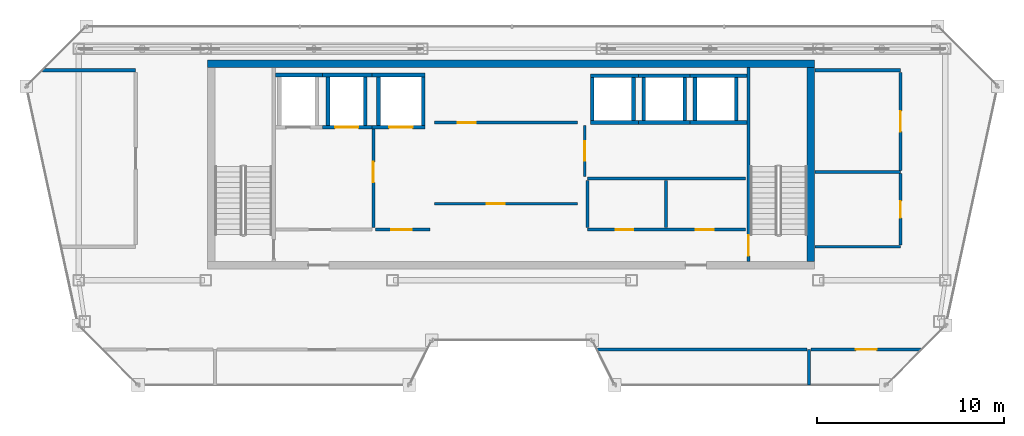
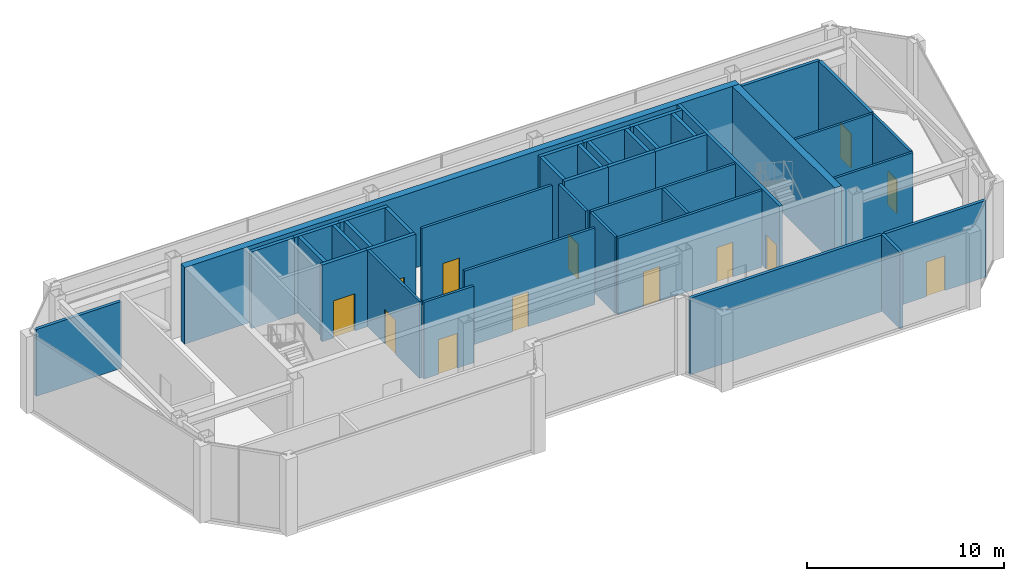
# One storey, part 16 of 20: 42 walls, 13 doors, 13 openings.
"""IFC4 building model written with IfcOpenShell, lengths in metres."""

from ifc_helpers import new_model, si_unit, direction, frame, frame_2d, origin, place, context, subcontext, project, spatial, rectangle, extrude, material, layer, layer_set, type_object, element, fill, save


model = new_model("IFC4")

# Units and contexts
model_context = context("Model", 3, precision=1e-05, world=origin(), true_north=direction((0.0, 1.0)))
body_context = subcontext(model_context, "Body", "Model", "MODEL_VIEW")
ifc_project = project(units=[si_unit("LENGTHUNIT", "METRE"), si_unit("AREAUNIT", "SQUARE_METRE"), si_unit("VOLUMEUNIT", "CUBIC_METRE"), si_unit("PLANEANGLEUNIT", "RADIAN"), si_unit("MASSUNIT", "GRAM", prefix="KILO")], contexts=[model_context])

# Site, building, storey
site_placement = place(None, origin())
site = spatial("IfcSite", under=ifc_project, at=site_placement, CompositionType="ELEMENT")
building_placement = place(site_placement, origin())
building = spatial("IfcBuilding", under=site, at=building_placement, Name="Saevonmaru Cultural Tower", CompositionType="ELEMENT")
storey_placement = place(building_placement, frame((0.0, 0.0, 314.199951171875)))
storey = spatial("IfcBuildingStorey", under=building, at=storey_placement, Name="L75", CompositionType="ELEMENT", Elevation=314.199951171875)

# Walls
ifc_material_1 = material(Name="Concrete C50/60", Category="concrete")
ifc_layer_1 = layer(ifc_material_1, 0.39990234375, Name="Concrete C50/60")
ifc_layer_set_1 = layer_set([ifc_layer_1], Name="Concrete C50/60")
wall_type_1 = type_object("IfcWallType", Name="WL-CORE-400", PredefinedType="SHEAR", material=ifc_layer_set_1)
wall_1_placement = place(storey_placement, frame((13.699951171875, 54.0, 0.0), z_axis=(0.0, 0.0, 1.0), x_axis=(1.0, 0.0, 0.0)))
element("IfcWall", 1, at=wall_1_placement, inside=storey, type_object=wall_type_1, Name="L75 Tower RC core shear wall N", PredefinedType="SHEAR", context=body_context, shape_type="SweptSolid", body=[
    extrude(rectangle(XDim=32.5, YDim=0.39990234375, at=frame_2d((16.25, 0.0))), origin(), (0.0, 0.0, 1.0), 4.75),
])
wall_2_placement = place(storey_placement, frame((46.0, 43.39990234375, 0.0), z_axis=(0.0, 0.0, 1.0), x_axis=(0.0, 1.0, 0.0)))
element("IfcWall", 2, at=wall_2_placement, inside=storey, type_object=wall_type_1, Name="L75 Tower RC core shear wall E", PredefinedType="SHEAR", context=body_context, shape_type="SweptSolid", body=[
    extrude(rectangle(XDim=10.400146484375, YDim=0.39990234375, at=frame_2d((5.2001953125, 0.0))), origin(), (0.0, 0.0, 1.0), 4.75),
])

# Wall, opening, door
ifc_material_2 = material(Name="Gypsum Fireboard Partition", Category="gypsum")
ifc_layer_2 = layer(ifc_material_2, 0.14990234375, Name="Gypsum Fireboard Partition")
ifc_layer_set_2 = layer_set([ifc_layer_2], Name="Gypsum Fireboard Partition")
wall_type_2 = type_object("IfcWallType", Name="WL-CORE-PART-150", PredefinedType="PARTITIONING", material=ifc_layer_set_2)
wall_3_placement = place(storey_placement, frame((22.580078125, 50.550048828125, 0.0), z_axis=(0.0, 0.0, 1.0), x_axis=(0.0, -1.0, 0.0)))
wall_3 = element("IfcWall", 3, at=wall_3_placement, inside=storey, type_object=wall_type_2, Name="L75 Firefighting Lift Lobby East Wall", PredefinedType="PARTITIONING", context=body_context, shape_type="SweptSolid", body=[
    extrude(rectangle(XDim=5.330078125, YDim=0.14990234375, at=frame_2d((2.6650390625, 0.0))), origin(), (0.0, 0.0, 1.0), 4.75),
])
opening_1_placement = place(wall_3_placement, frame((1.800048828125, 0.0, 0.0)))
opening_1 = element("IfcOpeningElement", 4, at=opening_1_placement, cuts=wall_3, Name="Opening FD-2", PredefinedType="OPENING", context=body_context, shape_type="SweptSolid", body=[
    extrude(rectangle(XDim=1.10009765625, YDim=2.14990234375, at=frame_2d((0.550048828125, 1.074951171875))), frame((0.0, 0.0849609375, 0.0), z_axis=(0.0, -1.0, 0.0), x_axis=(1.0, 0.0, 0.0)), (0.0, 0.0, 1.0), 0.169921875),
])
ifc_material_3 = material(Name="Satin Bronze Anodised Aluminium", Category="aluminium")
door_type_1 = type_object("IfcDoorType", Name="DR-FD60-1100", OperationType="SINGLE_SWING_LEFT", PredefinedType="DOOR", material=ifc_material_3)
door_1_placement = place(opening_1_placement, origin())
door_1 = element("IfcDoor", 5, at=door_1_placement, inside=storey, type_object=door_type_1, Name="L75 Firefighting Lift Lobby East Door", OperationType="SINGLE_SWING_LEFT", OverallHeight=2.14990234375, OverallWidth=1.10009765625, PredefinedType="DOOR", context=body_context, shape_type="SweptSolid", body=[
    extrude(rectangle(XDim=1.10009765625, YDim=2.14990234375, at=frame_2d((0.550048828125, 1.074951171875))), frame((0.0, 0.02490234375, 0.0), z_axis=(0.0, -1.0, 0.0), x_axis=(1.0, 0.0, 0.0)), (0.0, 0.0, 1.0), 0.050048828125),
])
fill(opening_1, door_1)

wall_4_placement = place(storey_placement, frame((22.679931640625, 45.1201171875, 0.0), z_axis=(0.0, 0.0, 1.0), x_axis=(1.0, 0.0, 0.0)))
wall_4 = element("IfcWall", 6, at=wall_4_placement, inside=storey, type_object=wall_type_2, Name="L75 Service Lift Vestibule Wall", PredefinedType="PARTITIONING", context=body_context, shape_type="SweptSolid", body=[
    extrude(rectangle(XDim=2.920166015625, YDim=0.14990234375, at=frame_2d((1.4599609375, 0.0))), origin(), (0.0, 0.0, 1.0), 4.75),
])
opening_2_placement = place(wall_4_placement, frame((0.85009765625, 0.0, 0.0)))
opening_2 = element("IfcOpeningElement", 7, at=opening_2_placement, cuts=wall_4, Name="Opening FD-2", PredefinedType="OPENING", context=body_context, shape_type="SweptSolid", body=[
    extrude(rectangle(XDim=1.10009765625, YDim=2.14990234375, at=frame_2d((0.550048828125, 1.074951171875))), frame((0.0, 0.0849609375, 0.0), z_axis=(0.0, -1.0, 0.0), x_axis=(1.0, 0.0, 0.0)), (0.0, 0.0, 1.0), 0.169921875),
])
door_2_placement = place(opening_2_placement, origin())
door_2 = element("IfcDoor", 8, at=door_2_placement, inside=storey, type_object=door_type_1, Name="L75 Service Lift Vestibule Door", OperationType="SINGLE_SWING_LEFT", OverallHeight=2.14990234375, OverallWidth=1.10009765625, PredefinedType="DOOR", context=body_context, shape_type="SweptSolid", body=[
    extrude(rectangle(XDim=1.10009765625, YDim=2.14990234375, at=frame_2d((0.550048828125, 1.074951171875))), frame((0.0, 0.02490234375, 0.0), z_axis=(0.0, -1.0, 0.0), x_axis=(1.0, 0.0, 0.0)), (0.0, 0.0, 1.0), 0.050048828125),
])
fill(opening_2, door_2)

wall_5_placement = place(storey_placement, frame((33.89990234375, 47.949951171875, 0.0), z_axis=(0.0, 0.0, 1.0), x_axis=(0.0, 1.0, 0.0)))
wall_5 = element("IfcWall", 9, at=wall_5_placement, inside=storey, type_object=wall_type_2, Name="L75 Zone Lobby Divider", PredefinedType="PARTITIONING", context=body_context, shape_type="SweptSolid", body=[
    extrude(rectangle(XDim=2.75, YDim=0.14990234375, at=frame_2d((1.375, 0.0))), origin(), (0.0, 0.0, 1.0), 4.75),
])
opening_3_placement = place(wall_5_placement, frame((0.85009765625, 0.0, 0.0)))
opening_3 = element("IfcOpeningElement", 10, at=opening_3_placement, cuts=wall_5, Name="Opening ID-1", PredefinedType="OPENING", context=body_context, shape_type="SweptSolid", body=[
    extrude(rectangle(XDim=1.050048828125, YDim=2.14990234375, at=frame_2d((0.52490234375, 1.074951171875))), frame((0.0, 0.0849609375, 0.0), z_axis=(0.0, -1.0, 0.0), x_axis=(1.0, 0.0, 0.0)), (0.0, 0.0, 1.0), 0.169921875),
])
door_type_2 = type_object("IfcDoorType", Name="DR-INT-1050", OperationType="SINGLE_SWING_LEFT", PredefinedType="DOOR", material=ifc_material_3)
door_3_placement = place(opening_3_placement, origin())
door_3 = element("IfcDoor", 11, at=door_3_placement, inside=storey, type_object=door_type_2, Name="L75 Inter-Lobby Link Door", OperationType="SINGLE_SWING_LEFT", OverallHeight=2.14990234375, OverallWidth=1.050048828125, PredefinedType="DOOR", context=body_context, shape_type="SweptSolid", body=[
    extrude(rectangle(XDim=1.050048828125, YDim=2.14990234375, at=frame_2d((0.52490234375, 1.074951171875))), frame((0.0, 0.02490234375, 0.0), z_axis=(0.0, -1.0, 0.0), x_axis=(1.0, 0.0, 0.0)), (0.0, 0.0, 1.0), 0.050048828125),
])
fill(opening_3, door_3)

# Wall, openings, doors
wall_6_placement = place(storey_placement, frame((34.050048828125, 45.1201171875, 0.0), z_axis=(0.0, 0.0, 1.0), x_axis=(1.0, 0.0, 0.0)))
wall_6 = element("IfcWall", 12, at=wall_6_placement, inside=storey, type_object=wall_type_2, Name="L75 Core Plant South Wall", PredefinedType="PARTITIONING", context=body_context, shape_type="SweptSolid", body=[
    extrude(rectangle(XDim=8.449951171875, YDim=0.14990234375, at=frame_2d((4.22509765625, 0.0))), origin(), (0.0, 0.0, 1.0), 4.75),
])
opening_4_placement = place(wall_6_placement, frame((1.5, 0.0, 0.0)))
opening_4 = element("IfcOpeningElement", 13, at=opening_4_placement, cuts=wall_6, Name="Opening FD-4", PredefinedType="OPENING", context=body_context, shape_type="SweptSolid", body=[
    extrude(rectangle(XDim=0.949951171875, YDim=2.14990234375, at=frame_2d((0.47509765625, 1.074951171875))), frame((0.0, 0.0849609375, 0.0), z_axis=(0.0, -1.0, 0.0), x_axis=(1.0, 0.0, 0.0)), (0.0, 0.0, 1.0), 0.169921875),
])
opening_5_placement = place(wall_6_placement, frame((5.800048828125, 0.0, 0.0)))
opening_5 = element("IfcOpeningElement", 14, at=opening_5_placement, cuts=wall_6, Name="Opening FD-4", PredefinedType="OPENING", context=body_context, shape_type="SweptSolid", body=[
    extrude(rectangle(XDim=0.949951171875, YDim=2.14990234375, at=frame_2d((0.47509765625, 1.074951171875))), frame((0.0, 0.0849609375, 0.0), z_axis=(0.0, -1.0, 0.0), x_axis=(1.0, 0.0, 0.0)), (0.0, 0.0, 1.0), 0.169921875),
])
door_type_3 = type_object("IfcDoorType", Name="DR-FD60-950", OperationType="SINGLE_SWING_LEFT", PredefinedType="DOOR", material=ifc_material_3)
door_4_placement = place(opening_4_placement, origin())
door_4 = element("IfcDoor", 15, at=door_4_placement, inside=storey, type_object=door_type_3, Name="L75 Floor AHU Plant Door", OperationType="SINGLE_SWING_LEFT", OverallHeight=2.14990234375, OverallWidth=0.949951171875, PredefinedType="DOOR", context=body_context, shape_type="SweptSolid", body=[
    extrude(rectangle(XDim=0.949951171875, YDim=2.14990234375, at=frame_2d((0.47509765625, 1.074951171875))), frame((0.0, 0.02490234375, 0.0), z_axis=(0.0, -1.0, 0.0), x_axis=(1.0, 0.0, 0.0)), (0.0, 0.0, 1.0), 0.050048828125),
])
fill(opening_4, door_4)
door_5_placement = place(opening_5_placement, origin())
door_5 = element("IfcDoor", 16, at=door_5_placement, inside=storey, type_object=door_type_3, Name="L75 Housekeeping Storage Door", OperationType="SINGLE_SWING_LEFT", OverallHeight=2.14990234375, OverallWidth=0.949951171875, PredefinedType="DOOR", context=body_context, shape_type="SweptSolid", body=[
    extrude(rectangle(XDim=0.949951171875, YDim=2.14990234375, at=frame_2d((0.47509765625, 1.074951171875))), frame((0.0, 0.02490234375, 0.0), z_axis=(0.0, -1.0, 0.0), x_axis=(1.0, 0.0, 0.0)), (0.0, 0.0, 1.0), 0.050048828125),
])
fill(opening_5, door_5)

# Walls
wall_7_placement = place(storey_placement, frame((34.050048828125, 47.85009765625, 0.0), z_axis=(0.0, 0.0, 1.0), x_axis=(1.0, 0.0, 0.0)))
element("IfcWall", 17, at=wall_7_placement, inside=storey, type_object=wall_type_2, Name="L75 Core Plant North Wall", PredefinedType="PARTITIONING", context=body_context, shape_type="SweptSolid", body=[
    extrude(rectangle(XDim=8.449951171875, YDim=0.14990234375, at=frame_2d((4.22509765625, 0.0))), origin(), (0.0, 0.0, 1.0), 4.75),
])
for number, where, z_axis, x_axis, name in (
    (18, (38.25, 45.219970703125, 0.0), (0.0, 0.0, 1.0), (0.0, 1.0, 0.0), "L75 Core Plant Split"),
    (19, (34.050048828125, 45.219970703125, 0.0), (0.0, 0.0, 1.0), (0.0, 1.0, 0.0), "L75 Core Plant West Wall"),
):
    element("IfcWall", number, at=place(storey_placement, frame(where, z_axis=z_axis, x_axis=x_axis)), inside=storey, type_object=wall_type_2, Name=name, PredefinedType="PARTITIONING", context=body_context, shape_type="SweptSolid", body=[
        extrude(rectangle(XDim=2.530029296875, YDim=0.14990234375, at=frame_2d((1.26513671875, 0.0))), origin(), (0.0, 0.0, 1.0), 4.75),
    ])

# Wall, opening, door
wall_8_placement = place(storey_placement, frame((25.85009765625, 50.85009765625, 0.0), z_axis=(0.0, 0.0, 1.0), x_axis=(1.0, 0.0, 0.0)))
wall_8 = element("IfcWall", 20, at=wall_8_placement, inside=storey, type_object=wall_type_2, Name="L75 Reclaimed Core Room South Wall", PredefinedType="PARTITIONING", context=body_context, shape_type="SweptSolid", body=[
    extrude(rectangle(XDim=7.64990234375, YDim=0.14990234375, at=frame_2d((3.824951171875, 0.0))), origin(), (0.0, 0.0, 1.0), 4.75),
])
opening_6_placement = place(wall_8_placement, frame((1.25, 0.0, 0.0)))
opening_6 = element("IfcOpeningElement", 21, at=opening_6_placement, cuts=wall_8, Name="Opening FD-4", PredefinedType="OPENING", context=body_context, shape_type="SweptSolid", body=[
    extrude(rectangle(XDim=0.949951171875, YDim=2.14990234375, at=frame_2d((0.47509765625, 1.074951171875))), frame((0.0, 0.0849609375, 0.0), z_axis=(0.0, -1.0, 0.0), x_axis=(1.0, 0.0, 0.0)), (0.0, 0.0, 1.0), 0.169921875),
])
door_6_placement = place(opening_6_placement, origin())
door_6 = element("IfcDoor", 22, at=door_6_placement, inside=storey, type_object=door_type_3, Name="L75 Reclaimed Archive Vault Door", OperationType="SINGLE_SWING_LEFT", OverallHeight=2.14990234375, OverallWidth=0.949951171875, PredefinedType="DOOR", context=body_context, shape_type="SweptSolid", body=[
    extrude(rectangle(XDim=0.949951171875, YDim=2.14990234375, at=frame_2d((0.47509765625, 1.074951171875))), frame((0.0, 0.02490234375, 0.0), z_axis=(0.0, -1.0, 0.0), x_axis=(1.0, 0.0, 0.0)), (0.0, 0.0, 1.0), 0.050048828125),
])
fill(opening_6, door_6)

wall_9_placement = place(storey_placement, frame((25.85009765625, 46.5, 0.0), z_axis=(0.0, 0.0, 1.0), x_axis=(1.0, 0.0, 0.0)))
wall_9 = element("IfcWall", 23, at=wall_9_placement, inside=storey, type_object=wall_type_2, Name="L75 Reclaimed Mid-Shaft Wall", PredefinedType="PARTITIONING", context=body_context, shape_type="SweptSolid", body=[
    extrude(rectangle(XDim=7.64990234375, YDim=0.14990234375, at=frame_2d((3.824951171875, 0.0))), origin(), (0.0, 0.0, 1.0), 4.75),
])
opening_7_placement = place(wall_9_placement, frame((2.800048828125, 0.0, 0.0)))
opening_7 = element("IfcOpeningElement", 24, at=opening_7_placement, cuts=wall_9, Name="Opening FD-4", PredefinedType="OPENING", context=body_context, shape_type="SweptSolid", body=[
    extrude(rectangle(XDim=0.949951171875, YDim=2.14990234375, at=frame_2d((0.47509765625, 1.074951171875))), frame((0.0, 0.0849609375, 0.0), z_axis=(0.0, -1.0, 0.0), x_axis=(1.0, 0.0, 0.0)), (0.0, 0.0, 1.0), 0.169921875),
])
door_7_placement = place(opening_7_placement, origin())
door_7 = element("IfcDoor", 25, at=door_7_placement, inside=storey, type_object=door_type_3, Name="L75 Reclaimed Manuscript Storage Door", OperationType="SINGLE_SWING_LEFT", OverallHeight=2.14990234375, OverallWidth=0.949951171875, PredefinedType="DOOR", context=body_context, shape_type="SweptSolid", body=[
    extrude(rectangle(XDim=0.949951171875, YDim=2.14990234375, at=frame_2d((0.47509765625, 1.074951171875))), frame((0.0, 0.02490234375, 0.0), z_axis=(0.0, -1.0, 0.0), x_axis=(1.0, 0.0, 0.0)), (0.0, 0.0, 1.0), 0.050048828125),
])
fill(opening_7, door_7)

# Wall
ifc_layer_3 = layer(ifc_material_2, 0.179931640625, Name="Gypsum Fireboard Partition")
ifc_layer_set_3 = layer_set([ifc_layer_3], Name="Gypsum Fireboard Partition")
wall_type_3 = type_object("IfcWallType", Name="WL-PART-PLANT-180", PredefinedType="PARTITIONING", material=ifc_layer_set_3)
wall_10_placement = place(storey_placement, frame((46.219970703125, 53.64990234375, 0.0), z_axis=(0.0, 0.0, 1.0), x_axis=(1.0, 0.0, 0.0)))
element("IfcWall", 26, at=wall_10_placement, inside=storey, type_object=wall_type_3, Name="L75 East Refuge North Wall", PredefinedType="PARTITIONING", context=body_context, shape_type="SweptSolid", body=[
    extrude(rectangle(XDim=4.580078125, YDim=0.179931640625, at=frame_2d((2.2900390625, 0.0))), origin(), (0.0, 0.0, 1.0), 4.75),
])

# Wall, opening, door
wall_11_placement = place(storey_placement, frame((50.800048828125, 48.2900390625, 0.0), z_axis=(0.0, 0.0, 1.0), x_axis=(0.0, 1.0, 0.0)))
wall_11 = element("IfcWall", 27, at=wall_11_placement, inside=storey, type_object=wall_type_3, Name="L75 East Refuge Door Wall", PredefinedType="PARTITIONING", context=body_context, shape_type="SweptSolid", body=[
    extrude(rectangle(XDim=5.25, YDim=0.179931640625, at=frame_2d((2.625, 0.0))), origin(), (0.0, 0.0, 1.0), 4.75),
])
opening_8_placement = place(wall_11_placement, frame((2.074951171875, 0.0, 0.0)))
opening_8 = element("IfcOpeningElement", 28, at=opening_8_placement, cuts=wall_11, Name="Opening FD-2", PredefinedType="OPENING", context=body_context, shape_type="SweptSolid", body=[
    extrude(rectangle(XDim=1.10009765625, YDim=2.14990234375, at=frame_2d((0.550048828125, 1.074951171875))), frame((0.0, 0.10009765625, 0.0), z_axis=(0.0, -1.0, 0.0), x_axis=(1.0, 0.0, 0.0)), (0.0, 0.0, 1.0), 0.199951171875),
])
door_8_placement = place(opening_8_placement, origin())
door_8 = element("IfcDoor", 29, at=door_8_placement, inside=storey, type_object=door_type_1, Name="L75 East Refuge Area Fire Door", OperationType="SINGLE_SWING_LEFT", OverallHeight=2.14990234375, OverallWidth=1.10009765625, PredefinedType="DOOR", context=body_context, shape_type="SweptSolid", body=[
    extrude(rectangle(XDim=1.10009765625, YDim=2.14990234375, at=frame_2d((0.550048828125, 1.074951171875))), frame((0.0, 0.02490234375, 0.0), z_axis=(0.0, -1.0, 0.0), x_axis=(1.0, 0.0, 0.0)), (0.0, 0.0, 1.0), 0.050048828125),
])
fill(opening_8, door_8)

# Walls
wall_12_placement = place(storey_placement, frame((45.89990234375, 36.804931640625, 0.0), z_axis=(0.0, 0.0, 1.0), x_axis=(0.0, 1.0, 0.0)))
element("IfcWall", 30, at=wall_12_placement, inside=storey, type_object=wall_type_3, Name="L75 Main Refuge East Wall", PredefinedType="PARTITIONING", context=body_context, shape_type="SweptSolid", body=[
    extrude(rectangle(XDim=1.89501953125, YDim=0.179931640625, at=frame_2d((0.947509765625, 0.0))), origin(), (0.0, 0.0, 1.0), 4.75),
])
wall_13_placement = place(storey_placement, frame((34.5556640625, 38.699951171875, 0.0), z_axis=(0.0, 0.0, 1.0), x_axis=(1.0, 0.0, 0.0)))
element("IfcWall", 31, at=wall_13_placement, inside=storey, type_object=wall_type_3, Name="L75 Main Refuge Promenade Wall (2)", PredefinedType="PARTITIONING", context=body_context, shape_type="SweptSolid", body=[
    extrude(rectangle(XDim=11.234375, YDim=0.179931640625, at=frame_2d((5.6171875, 0.0))), origin(), (0.0, 0.0, 1.0), 4.75),
])
wall_14_placement = place(storey_placement, frame((4.857177734375, 53.64990234375, 0.0), z_axis=(0.0, 0.0, 1.0), x_axis=(1.0, 0.0, 0.0)))
element("IfcWall", 32, at=wall_14_placement, inside=storey, type_object=wall_type_3, Name="L75 West Refuge North Wall", PredefinedType="PARTITIONING", context=body_context, shape_type="SweptSolid", body=[
    extrude(rectangle(XDim=4.992919921875, YDim=0.179931640625, at=frame_2d((2.49658203125, 0.0))), origin(), (0.0, 0.0, 1.0), 4.14697265625),
])

# Wall, opening, door
wall_15_placement = place(storey_placement, frame((46.010009765625, 38.699951171875, 0.0), z_axis=(0.0, 0.0, 1.0), x_axis=(1.0, 0.0, 0.0)))
wall_15 = element("IfcWall", 33, at=wall_15_placement, inside=storey, type_object=wall_type_3, Name="L75 East Pump Plant North Wall", PredefinedType="PARTITIONING", context=body_context, shape_type="SweptSolid", body=[
    extrude(rectangle(XDim=5.90966796875, YDim=0.179931640625, at=frame_2d((2.954833984375, 0.0))), origin(), (0.0, 0.0, 1.0), 4.75),
])
opening_9_placement = place(wall_15_placement, frame((2.405029296875, 0.0, 0.0)))
opening_9 = element("IfcOpeningElement", 34, at=opening_9_placement, cuts=wall_15, Name="Opening FD-2", PredefinedType="OPENING", context=body_context, shape_type="SweptSolid", body=[
    extrude(rectangle(XDim=1.10009765625, YDim=2.14990234375, at=frame_2d((0.550048828125, 1.074951171875))), frame((0.0, 0.10009765625, 0.0), z_axis=(0.0, -1.0, 0.0), x_axis=(1.0, 0.0, 0.0)), (0.0, 0.0, 1.0), 0.199951171875),
])
door_9_placement = place(opening_9_placement, origin())
door_9 = element("IfcDoor", 35, at=door_9_placement, inside=storey, type_object=door_type_1, Name="L75 Fire Pump Plant Door", OperationType="SINGLE_SWING_LEFT", OverallHeight=2.14990234375, OverallWidth=1.10009765625, PredefinedType="DOOR", context=body_context, shape_type="SweptSolid", body=[
    extrude(rectangle(XDim=1.10009765625, YDim=2.14990234375, at=frame_2d((0.550048828125, 1.074951171875))), frame((0.0, 0.02490234375, 0.0), z_axis=(0.0, -1.0, 0.0), x_axis=(1.0, 0.0, 0.0)), (0.0, 0.0, 1.0), 0.050048828125),
])
fill(opening_9, door_9)

# Walls
ifc_layer_4 = layer(ifc_material_2, 0.139892578125, Name="Gypsum Fireboard Partition")
ifc_layer_set_4 = layer_set([ifc_layer_4], Name="Gypsum Fireboard Partition")
wall_type_4 = type_object("IfcWallType", Name="WL-PART-WET-140", PredefinedType="PARTITIONING", material=ifc_layer_set_4)
for number, where, z_axis, x_axis, name in (
    (36, (46.219970703125, 44.199951171875, 0.0), (0.0, 0.0, 1.0), (1.0, 0.0, 0.0), "L75 Refuge Washroom South Wall"),
    (37, (46.219970703125, 48.199951171875, 0.0), (0.0, 0.0, 1.0), (1.0, 0.0, 0.0), "L75 Refuge Washroom North Wall"),
):
    element("IfcWall", number, at=place(storey_placement, frame(where, z_axis=z_axis, x_axis=x_axis)), inside=storey, type_object=wall_type_4, Name=name, PredefinedType="PARTITIONING", context=body_context, shape_type="SweptSolid", body=[
        extrude(rectangle(XDim=4.580078125, YDim=0.139892578125, at=frame_2d((2.2900390625, 0.0))), origin(), (0.0, 0.0, 1.0), 4.75),
    ])

# Wall, opening, door
wall_16_placement = place(storey_placement, frame((50.800048828125, 44.2900390625, 0.0), z_axis=(0.0, 0.0, 1.0), x_axis=(0.0, 1.0, 0.0)))
wall_16 = element("IfcWall", 38, at=wall_16_placement, inside=storey, type_object=wall_type_4, Name="L75 Refuge Washroom Door Wall", PredefinedType="PARTITIONING", context=body_context, shape_type="SweptSolid", body=[
    extrude(rectangle(XDim=3.820068359375, YDim=0.139892578125, at=frame_2d((1.91015625, 0.0))), origin(), (0.0, 0.0, 1.0), 4.75),
])
opening_10_placement = place(wall_16_placement, frame((1.4599609375, 0.0, 0.0)))
opening_10 = element("IfcOpeningElement", 39, at=opening_10_placement, cuts=wall_16, Name="Opening ID-2", PredefinedType="OPENING", context=body_context, shape_type="SweptSolid", body=[
    extrude(rectangle(XDim=0.89990234375, YDim=2.10009765625, at=frame_2d((0.449951171875, 1.050048828125))), frame((0.0, 0.080078125, 0.0), z_axis=(0.0, -1.0, 0.0), x_axis=(1.0, 0.0, 0.0)), (0.0, 0.0, 1.0), 0.159912109375),
])
ifc_material_4 = material(Name="Acoustic Stained Oak Timber", Category="wood")
door_type_4 = type_object("IfcDoorType", Name="DR-INT-900", OperationType="SINGLE_SWING_RIGHT", PredefinedType="DOOR", material=ifc_material_4)
door_10_placement = place(opening_10_placement, origin())
door_10 = element("IfcDoor", 40, at=door_10_placement, inside=storey, type_object=door_type_4, Name="L75 Refuge Accessible Washroom Door", OperationType="SINGLE_SWING_RIGHT", OverallHeight=2.10009765625, OverallWidth=0.89990234375, PredefinedType="DOOR", context=body_context, shape_type="SweptSolid", body=[
    extrude(rectangle(XDim=0.89990234375, YDim=2.10009765625, at=frame_2d((0.449951171875, 1.050048828125))), frame((0.0, 0.02490234375, 0.0), z_axis=(0.0, -1.0, 0.0), x_axis=(1.0, 0.0, 0.0)), (0.0, 0.0, 1.0), 0.050048828125),
])
fill(opening_10, door_10)

# Wall
ifc_material_5 = material(Name="Concrete C40/50", Category="concrete")
ifc_layer_5 = layer(ifc_material_5, 0.199951171875, Name="Concrete C40/50")
ifc_layer_set_5 = layer_set([ifc_layer_5], Name="Concrete C40/50")
wall_type_5 = type_object("IfcWallType", Name="WL-SHAFT-200", PredefinedType="SHEAR", material=ifc_layer_set_5)
wall_17_placement = place(storey_placement, frame((17.330078125, 53.39990234375, 0.0), z_axis=(0.0, 0.0, 1.0), x_axis=(1.0, 0.0, 0.0)))
element("IfcWall", 41, at=wall_17_placement, inside=storey, type_object=wall_type_5, Name="L75 Lift FFL-1 Hoistway Wall N", PredefinedType="SHEAR", context=body_context, shape_type="SweptSolid", body=[
    extrude(rectangle(XDim=2.52001953125, YDim=0.199951171875, at=frame_2d((1.260009765625, 0.0))), origin(), (0.0, 0.0, 1.0), 4.75),
])

# Wall, opening, door
wall_18_placement = place(storey_placement, frame((19.85009765625, 50.60009765625, 0.0), z_axis=(0.0, 0.0, 1.0), x_axis=(1.0, 0.0, 0.0)))
wall_18 = element("IfcWall", 42, at=wall_18_placement, inside=storey, type_object=wall_type_5, Name="L75 Lift FFL-2 Hoistway Wall S", PredefinedType="SHEAR", context=body_context, shape_type="SweptSolid", body=[
    extrude(rectangle(XDim=2.64990234375, YDim=0.199951171875, at=frame_2d((1.324951171875, 0.0))), origin(), (0.0, 0.0, 1.0), 4.75),
])
opening_11_placement = place(wall_18_placement, frame((0.675048828125, 0.0, 0.0)))
opening_11 = element("IfcOpeningElement", 43, at=opening_11_placement, cuts=wall_18, Name="Opening LD-2", PredefinedType="OPENING", context=body_context, shape_type="SweptSolid", body=[
    extrude(rectangle(XDim=1.25, YDim=2.300048828125, at=frame_2d((0.625, 1.14990234375))), frame((0.0, 0.10986328125, 0.0), z_axis=(0.0, -1.0, 0.0), x_axis=(1.0, 0.0, 0.0)), (0.0, 0.0, 1.0), 0.219970703125),
])
ifc_material_6 = material(Name="Stainless Steel 316", Category="steel")
door_type_5 = type_object("IfcDoorType", Name="DR-LIFT-1250", OperationType="SLIDING_TO_LEFT", PredefinedType="DOOR", material=ifc_material_6)
door_11_placement = place(opening_11_placement, origin())
door_11 = element("IfcDoor", 44, at=door_11_placement, inside=storey, type_object=door_type_5, Name="L75 Lift FFL-2 Sliding Landing Door", OperationType="SLIDING_TO_LEFT", OverallHeight=2.300048828125, OverallWidth=1.25, PredefinedType="DOOR", context=body_context, shape_type="SweptSolid", body=[
    extrude(rectangle(XDim=1.25, YDim=2.300048828125, at=frame_2d((0.625, 1.14990234375))), frame((0.0, 0.02490234375, 0.0), z_axis=(0.0, -1.0, 0.0), x_axis=(1.0, 0.0, 0.0)), (0.0, 0.0, 1.0), 0.050048828125),
])
fill(opening_11, door_11)

# Walls
wall_19_placement = place(storey_placement, frame((19.85009765625, 53.39990234375, 0.0), z_axis=(0.0, 0.0, 1.0), x_axis=(1.0, 0.0, 0.0)))
element("IfcWall", 45, at=wall_19_placement, inside=storey, type_object=wall_type_5, Name="L75 Lift FFL-2 Hoistway Wall N", PredefinedType="SHEAR", context=body_context, shape_type="SweptSolid", body=[
    extrude(rectangle(XDim=2.64990234375, YDim=0.199951171875, at=frame_2d((1.324951171875, 0.0))), origin(), (0.0, 0.0, 1.0), 4.75),
])
for number, where, z_axis, x_axis, name in (
    (46, (20.14990234375, 50.699951171875, 0.0), (0.0, 0.0, 1.0), (0.0, 1.0, 0.0), "L75 Lift FFL-2 Hoistway Wall W"),
    (47, (22.14990234375, 50.699951171875, 0.0), (0.0, 0.0, 1.0), (0.0, 1.0, 0.0), "L75 Lift FFL-2 Hoistway Wall E"),
):
    element("IfcWall", number, at=place(storey_placement, frame(where, z_axis=z_axis, x_axis=x_axis)), inside=storey, type_object=wall_type_5, Name=name, PredefinedType="SHEAR", context=body_context, shape_type="SweptSolid", body=[
        extrude(rectangle(XDim=2.60009765625, YDim=0.199951171875, at=frame_2d((1.300048828125, 0.0))), origin(), (0.0, 0.0, 1.0), 4.75),
    ])

# Wall, opening, door
wall_20_placement = place(storey_placement, frame((22.5, 50.60009765625, 0.0), z_axis=(0.0, 0.0, 1.0), x_axis=(1.0, 0.0, 0.0)))
wall_20 = element("IfcWall", 48, at=wall_20_placement, inside=storey, type_object=wall_type_5, Name="L75 Lift GL-1 Hoistway Wall S", PredefinedType="SHEAR", context=body_context, shape_type="SweptSolid", body=[
    extrude(rectangle(XDim=2.85009765625, YDim=0.199951171875, at=frame_2d((1.425048828125, 0.0))), origin(), (0.0, 0.0, 1.0), 4.75),
])
opening_12_placement = place(wall_20_placement, frame((0.925048828125, 0.0, 0.0)))
opening_12 = element("IfcOpeningElement", 49, at=opening_12_placement, cuts=wall_20, Name="Opening LD-2", PredefinedType="OPENING", context=body_context, shape_type="SweptSolid", body=[
    extrude(rectangle(XDim=1.25, YDim=2.300048828125, at=frame_2d((0.625, 1.14990234375))), frame((0.0, 0.10986328125, 0.0), z_axis=(0.0, -1.0, 0.0), x_axis=(1.0, 0.0, 0.0)), (0.0, 0.0, 1.0), 0.219970703125),
])
door_12_placement = place(opening_12_placement, origin())
door_12 = element("IfcDoor", 50, at=door_12_placement, inside=storey, type_object=door_type_5, Name="L75 Lift GL-1 Sliding Landing Door", OperationType="SLIDING_TO_LEFT", OverallHeight=2.300048828125, OverallWidth=1.25, PredefinedType="DOOR", context=body_context, shape_type="SweptSolid", body=[
    extrude(rectangle(XDim=1.25, YDim=2.300048828125, at=frame_2d((0.625, 1.14990234375))), frame((0.0, 0.02490234375, 0.0), z_axis=(0.0, -1.0, 0.0), x_axis=(1.0, 0.0, 0.0)), (0.0, 0.0, 1.0), 0.050048828125),
])
fill(opening_12, door_12)

# Walls
wall_21_placement = place(storey_placement, frame((22.5, 53.39990234375, 0.0), z_axis=(0.0, 0.0, 1.0), x_axis=(1.0, 0.0, 0.0)))
element("IfcWall", 51, at=wall_21_placement, inside=storey, type_object=wall_type_5, Name="L75 Lift GL-1 Hoistway Wall N", PredefinedType="SHEAR", context=body_context, shape_type="SweptSolid", body=[
    extrude(rectangle(XDim=2.85009765625, YDim=0.199951171875, at=frame_2d((1.425048828125, 0.0))), origin(), (0.0, 0.0, 1.0), 4.75),
])
for number, where, z_axis, x_axis, name in (
    (52, (22.85009765625, 50.699951171875, 0.0), (0.0, 0.0, 1.0), (0.0, 1.0, 0.0), "L75 Lift GL-1 Hoistway Wall W"),
    (53, (25.25, 50.699951171875, 0.0), (0.0, 0.0, 1.0), (0.0, 1.0, 0.0), "L75 Lift GL-1 Hoistway Wall E"),
):
    element("IfcWall", number, at=place(storey_placement, frame(where, z_axis=z_axis, x_axis=x_axis)), inside=storey, type_object=wall_type_5, Name=name, PredefinedType="SHEAR", context=body_context, shape_type="SweptSolid", body=[
        extrude(rectangle(XDim=2.60009765625, YDim=0.199951171875, at=frame_2d((1.300048828125, 0.0))), origin(), (0.0, 0.0, 1.0), 4.75),
    ])
for number, where, z_axis, x_axis, name in (
    (54, (34.199951171875, 50.85009765625, 0.0), (0.0, 0.0, 1.0), (1.0, 0.0, 0.0), "L75 Lift PL-H1 Hoistway Wall S"),
    (55, (34.199951171875, 53.35009765625, 0.0), (0.0, 0.0, 1.0), (1.0, 0.0, 0.0), "L75 Lift PL-H1 Hoistway Wall N"),
):
    element("IfcWall", number, at=place(storey_placement, frame(where, z_axis=z_axis, x_axis=x_axis)), inside=storey, type_object=wall_type_5, Name=name, PredefinedType="SHEAR", context=body_context, shape_type="SweptSolid", body=[
        extrude(rectangle(XDim=2.574951171875, YDim=0.199951171875, at=frame_2d((1.28759765625, 0.0))), origin(), (0.0, 0.0, 1.0), 4.75),
    ])
for number, where, z_axis, x_axis, name in (
    (56, (34.300048828125, 50.949951171875, 0.0), (0.0, 0.0, 1.0), (0.0, 1.0, 0.0), "L75 Lift PL-H1 Hoistway Wall W"),
    (57, (36.5, 50.949951171875, 0.0), (0.0, 0.0, 1.0), (0.0, 1.0, 0.0), "L75 Lift PL-H1 Hoistway Wall E"),
):
    element("IfcWall", number, at=place(storey_placement, frame(where, z_axis=z_axis, x_axis=x_axis)), inside=storey, type_object=wall_type_5, Name=name, PredefinedType="SHEAR", context=body_context, shape_type="SweptSolid", body=[
        extrude(rectangle(XDim=2.300048828125, YDim=0.199951171875, at=frame_2d((1.14990234375, 0.0))), origin(), (0.0, 0.0, 1.0), 4.75),
    ])
for number, where, z_axis, x_axis, name in (
    (58, (36.77490234375, 50.85009765625, 0.0), (0.0, 0.0, 1.0), (1.0, 0.0, 0.0), "L75 Lift PL-H2 Hoistway Wall S"),
    (59, (36.77490234375, 53.35009765625, 0.0), (0.0, 0.0, 1.0), (1.0, 0.0, 0.0), "L75 Lift PL-H2 Hoistway Wall N"),
):
    element("IfcWall", number, at=place(storey_placement, frame(where, z_axis=z_axis, x_axis=x_axis)), inside=storey, type_object=wall_type_5, Name=name, PredefinedType="SHEAR", context=body_context, shape_type="SweptSolid", body=[
        extrude(rectangle(XDim=2.75, YDim=0.199951171875, at=frame_2d((1.375, 0.0))), origin(), (0.0, 0.0, 1.0), 4.75),
    ])
for number, where, z_axis, x_axis, name in (
    (60, (37.050048828125, 50.949951171875, 0.0), (0.0, 0.0, 1.0), (0.0, 1.0, 0.0), "L75 Lift PL-H2 Hoistway Wall W"),
    (61, (39.25, 50.949951171875, 0.0), (0.0, 0.0, 1.0), (0.0, 1.0, 0.0), "L75 Lift PL-H2 Hoistway Wall E"),
):
    element("IfcWall", number, at=place(storey_placement, frame(where, z_axis=z_axis, x_axis=x_axis)), inside=storey, type_object=wall_type_5, Name=name, PredefinedType="SHEAR", context=body_context, shape_type="SweptSolid", body=[
        extrude(rectangle(XDim=2.300048828125, YDim=0.199951171875, at=frame_2d((1.14990234375, 0.0))), origin(), (0.0, 0.0, 1.0), 4.75),
    ])
for number, where, z_axis, x_axis, name in (
    (62, (39.52490234375, 50.85009765625, 0.0), (0.0, 0.0, 1.0), (1.0, 0.0, 0.0), "L75 Lift PL-H3 Hoistway Wall S"),
    (63, (39.52490234375, 53.35009765625, 0.0), (0.0, 0.0, 1.0), (1.0, 0.0, 0.0), "L75 Lift PL-H3 Hoistway Wall N"),
):
    element("IfcWall", number, at=place(storey_placement, frame(where, z_axis=z_axis, x_axis=x_axis)), inside=storey, type_object=wall_type_5, Name=name, PredefinedType="SHEAR", context=body_context, shape_type="SweptSolid", body=[
        extrude(rectangle(XDim=3.045166015625, YDim=0.199951171875, at=frame_2d((1.5224609375, 0.0))), origin(), (0.0, 0.0, 1.0), 4.75),
    ])
for number, where, z_axis, x_axis, name in (
    (64, (39.800048828125, 50.949951171875, 0.0), (0.0, 0.0, 1.0), (0.0, 1.0, 0.0), "L75 Lift PL-H3 Hoistway Wall W"),
    (65, (42.0, 50.949951171875, 0.0), (0.0, 0.0, 1.0), (0.0, 1.0, 0.0), "L75 Lift PL-H3 Hoistway Wall E"),
):
    element("IfcWall", number, at=place(storey_placement, frame(where, z_axis=z_axis, x_axis=x_axis)), inside=storey, type_object=wall_type_5, Name=name, PredefinedType="SHEAR", context=body_context, shape_type="SweptSolid", body=[
        extrude(rectangle(XDim=2.300048828125, YDim=0.199951171875, at=frame_2d((1.14990234375, 0.0))), origin(), (0.0, 0.0, 1.0), 4.75),
    ])

# Wall, opening, door
ifc_layer_6 = layer(ifc_material_5, 0.179931640625, Name="Concrete C40/50")
ifc_layer_set_6 = layer_set([ifc_layer_6], Name="Concrete C40/50")
wall_type_6 = type_object("IfcWallType", Name="WL-STSHAFT-180", PredefinedType="SHEAR", material=ifc_layer_set_6)
wall_22_placement = place(storey_placement, frame((42.659912109375, 53.800048828125, 0.0), z_axis=(0.0, 0.0, 1.0), x_axis=(0.0, -1.0, 0.0)))
wall_22 = element("IfcWall", 66, at=wall_22_placement, inside=storey, type_object=wall_type_6, Name="L75 Stair ST-2 Structural Shaft Wall 1", PredefinedType="SHEAR", context=body_context, shape_type="SweptSolid", body=[
    extrude(rectangle(XDim=10.400146484375, YDim=0.179931640625, at=frame_2d((5.2001953125, 0.0))), origin(), (0.0, 0.0, 1.0), 4.75),
])
opening_13_placement = place(wall_22_placement, frame((8.989990234375, 0.0, 0.0)))
opening_13 = element("IfcOpeningElement", 67, at=opening_13_placement, cuts=wall_22, Name="Opening FD-2", PredefinedType="OPENING", context=body_context, shape_type="SweptSolid", body=[
    extrude(rectangle(XDim=1.10009765625, YDim=2.14990234375, at=frame_2d((0.550048828125, 1.074951171875))), frame((0.0, 0.10009765625, 0.0), z_axis=(0.0, -1.0, 0.0), x_axis=(1.0, 0.0, 0.0)), (0.0, 0.0, 1.0), 0.199951171875),
])
door_13_placement = place(opening_13_placement, origin())
door_13 = element("IfcDoor", 68, at=door_13_placement, inside=storey, type_object=door_type_1, Name="L75 Protected Stair ST-2 Fire Door", OperationType="SINGLE_SWING_LEFT", OverallHeight=2.14990234375, OverallWidth=1.10009765625, PredefinedType="DOOR", context=body_context, shape_type="SweptSolid", body=[
    extrude(rectangle(XDim=1.10009765625, YDim=2.14990234375, at=frame_2d((0.550048828125, 1.074951171875))), frame((0.0, 0.02490234375, 0.0), z_axis=(0.0, -1.0, 0.0), x_axis=(1.0, 0.0, 0.0)), (0.0, 0.0, 1.0), 0.050048828125),
])
fill(opening_13, door_13)

save(model, "model.ifc")
